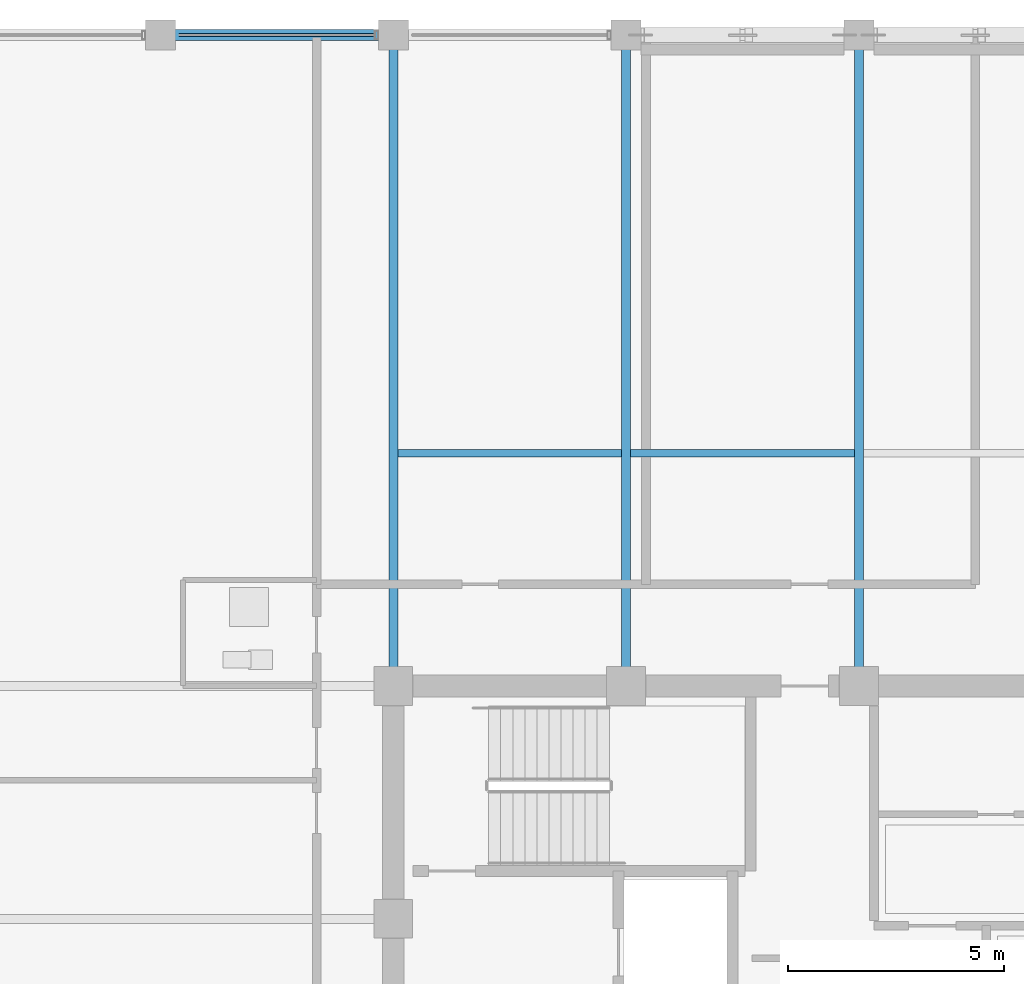
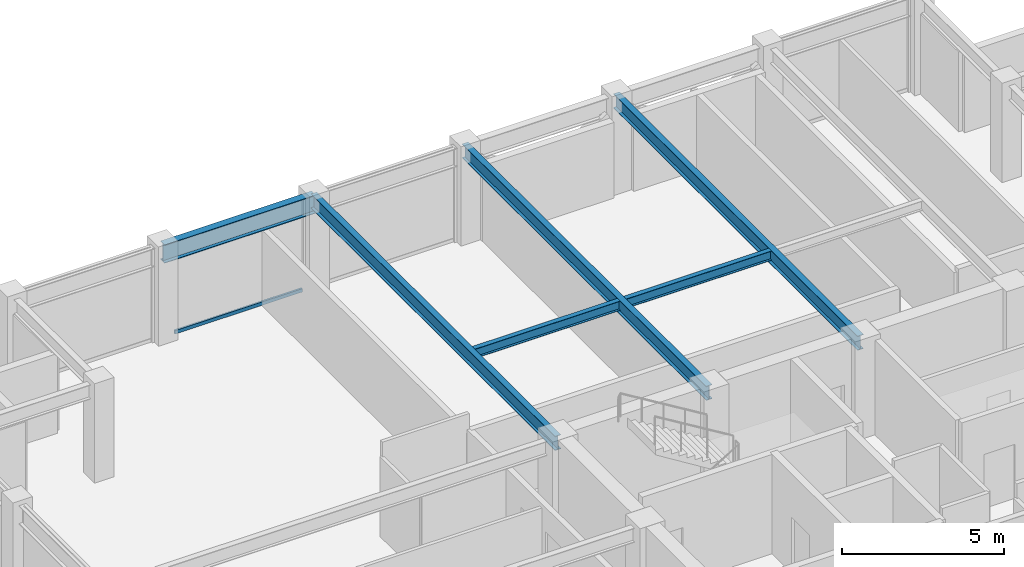
# One storey, part 16 of 31: 6 beams, 1 member, 1 element without a shape of its own.
"""IFC4 building model written with IfcOpenShell, lengths in metres."""

from ifc_helpers import new_model, si_unit, direction, frame, origin, origin_2d, place, context, subcontext, project, spatial, hollow_rectangle, i_section, extrude, material, layer, layer_set, material_profile, profile_set, type_object, element, aggregate, save


model = new_model("IFC4")

# Units and contexts
model_context = context("Model", 3, precision=1e-05, world=origin(), true_north=direction((0.0, 1.0)))
body_context = subcontext(model_context, "Body", "Model", "MODEL_VIEW")
ifc_project = project(units=[si_unit("LENGTHUNIT", "METRE"), si_unit("AREAUNIT", "SQUARE_METRE"), si_unit("VOLUMEUNIT", "CUBIC_METRE"), si_unit("PLANEANGLEUNIT", "RADIAN"), si_unit("MASSUNIT", "GRAM", prefix="KILO")], contexts=[model_context])

# Site, building, storey
site_placement = place(None, origin())
site = spatial("IfcSite", under=ifc_project, at=site_placement, CompositionType="ELEMENT")
building_placement = place(site_placement, origin())
building = spatial("IfcBuilding", under=site, at=building_placement, Name="Surkhivell Harbour Commons", CompositionType="ELEMENT")
storey_placement = place(building_placement, frame((0.0, 0.0, 322.5)))
storey = spatial("IfcBuildingStorey", under=building, at=storey_placement, Name="L84", CompositionType="ELEMENT", Elevation=322.5)

# Beams
ifc_material_1 = material(Name="Steel S355", Category="steel")
ifc_material_profile_1 = material_profile(ifc_material_1, i_section(OverallWidth=0.2099609375, OverallDepth=0.537109375, WebThickness=0.0107421875, FlangeThickness=0.017333984375, at=origin_2d()), Name="UB533x210x101")
ifc_profile_set_1 = profile_set([ifc_material_profile_1], Name="Steel S355")
beam_type_1 = type_object("IfcBeamType", Name="BM-GRD-533B", PredefinedType="BEAM", material=ifc_profile_set_1)
for number, where, z_axis, x_axis, name in (
    (1, (-10.800048828125, 10.800048828125, 3.301513671875), (0.0, 1.0, 0.0), (-1.0, 0.0, 0.0), "L84 Floor Girder (-10.8,10.8)"),
    (2, (-5.39990234375, 10.800048828125, 3.301513671875), (0.0, 1.0, 0.0), (-1.0, 0.0, 0.0), "L84 Floor Girder (-5.4,10.8)"),
    (3, (0.0, 10.800048828125, 3.301513671875), (0.0, 1.0, 0.0), (-1.0, 0.0, 0.0), "L84 Floor Girder (0.0,10.8)"),
):
    element("IfcBeam", number, at=place(storey_placement, frame(where, z_axis=z_axis, x_axis=x_axis)), inside=storey, type_object=beam_type_1, Name=name, PredefinedType="BEAM", context=body_context, shape_type="SweptSolid", body=[
        extrude(i_section(OverallWidth=0.2099609375, OverallDepth=0.537109375, WebThickness=0.0107421875, FlangeThickness=0.017333984375, at=origin_2d()), origin(), (0.0, 0.0, 1.0), 15.099853515625),
    ])
ifc_material_profile_2 = material_profile(ifc_material_1, i_section(OverallWidth=0.172119140625, OverallDepth=0.35791015625, WebThickness=0.008056640625, FlangeThickness=0.012939453125, at=origin_2d()), Name="UB356x171x57")
ifc_profile_set_2 = profile_set([ifc_material_profile_2], Name="Steel S355")
beam_type_2 = type_object("IfcBeamType", Name="BM-JST-356", PredefinedType="JOIST", material=ifc_profile_set_2)
for number, where, z_axis, x_axis, name in (
    (4, (-10.697021484375, 16.199951171875, 3.39111328125), (1.0, 0.0, 0.0), (0.0, 1.0, 0.0), "L84 North Composite Joist (-10.8)"),
    (5, (-5.297119140625, 16.199951171875, 3.39111328125), (1.0, 0.0, 0.0), (0.0, 1.0, 0.0), "L84 North Composite Joist (-5.4)"),
):
    element("IfcBeam", number, at=place(storey_placement, frame(where, z_axis=z_axis, x_axis=x_axis)), inside=storey, type_object=beam_type_2, Name=name, PredefinedType="JOIST", context=body_context, shape_type="SweptSolid", body=[
        extrude(i_section(OverallWidth=0.172119140625, OverallDepth=0.35791015625, WebThickness=0.008056640625, FlangeThickness=0.012939453125, at=origin_2d()), origin(), (0.0, 0.0, 1.0), 5.194091796875),
    ])
ifc_material_profile_3 = material_profile(ifc_material_1, i_section(OverallWidth=0.256103515625, OverallDepth=0.693115234375, WebThickness=0.014404296875, FlangeThickness=0.023681640625, at=origin_2d()), Name="UB686x254x170")
ifc_profile_set_3 = profile_set([ifc_material_profile_3], Name="Steel S355")
beam_type_3 = type_object("IfcBeamType", Name="BM-SPN-686", PredefinedType="SPANDREL", material=ifc_profile_set_3)
beam_placement = place(storey_placement, frame((-16.199951171875, 25.89990234375, 3.223388671875), z_axis=(1.0, 0.0, 0.0), x_axis=(0.0, 1.0, 0.0)))
element("IfcBeam", 6, at=beam_placement, inside=storey, type_object=beam_type_3, Name="L84 Tube Spandrel (-16.2,25.9)", PredefinedType="SPANDREL", context=body_context, shape_type="SweptSolid", body=[
    extrude(i_section(OverallWidth=0.256103515625, OverallDepth=0.693115234375, WebThickness=0.014404296875, FlangeThickness=0.023681640625, at=origin_2d()), origin(), (0.0, 0.0, 1.0), 5.39990234375),
])

# Curtain wall, member
ifc_material_2 = material(Name="Anodised pale-metal aluminium and insulated glazing", Category="aluminium")
ifc_layer = layer(ifc_material_2, 0.175048828125)
ifc_layer_set = layer_set([ifc_layer], Name="Anodised pale-metal aluminium and insulated glazing")
curtain_wall_type = type_object("IfcCurtainWallType", Name="CW-SYS-Z4", PredefinedType="NOTDEFINED", material=ifc_layer_set)
curtain_wall_placement = place(storey_placement, origin())
curtain_wall = element("IfcCurtainWall", 7, at=curtain_wall_placement, inside=storey, type_object=curtain_wall_type, Name="L84 Curtain Wall CW-L84-E07S2", PredefinedType="NOTDEFINED")
ifc_material_3 = material(Name="Champagne anodised aluminium alloy 6063-T6", Category="aluminium")
ifc_material_profile_4 = material_profile(ifc_material_3, hollow_rectangle(XDim=0.070068359375, YDim=0.1298828125, WallThickness=0.00341796875, at=origin_2d()), Name="ALU-TRAN-70x130")
ifc_profile_set_4 = profile_set([ifc_material_profile_4], Name="Champagne anodised aluminium alloy 6063-T6")
member_type = type_object("IfcMemberType", Name="CWT-130", PredefinedType="USERDEFINED", material=ifc_profile_set_4)
member_placement = place(storey_placement, frame((-11.22705078125, 25.89990234375, 0.06494140625), z_axis=(-1.0, 0.0, 0.0), x_axis=(0.0, -1.0, 0.0)))
member = element("IfcMember", 8, at=member_placement, type_object=member_type, Name="CW-Z4 transom 2.1", ObjectType="TRANSOM", PredefinedType="USERDEFINED", context=body_context, shape_type="SweptSolid", body=[
    extrude(hollow_rectangle(XDim=0.070068359375, YDim=0.1298828125, WallThickness=0.00341796875, at=origin_2d()), origin(), (0.0, 0.0, 1.0), 4.5458984375),
])
aggregate(curtain_wall, [member])

save(model, "model.ifc")
